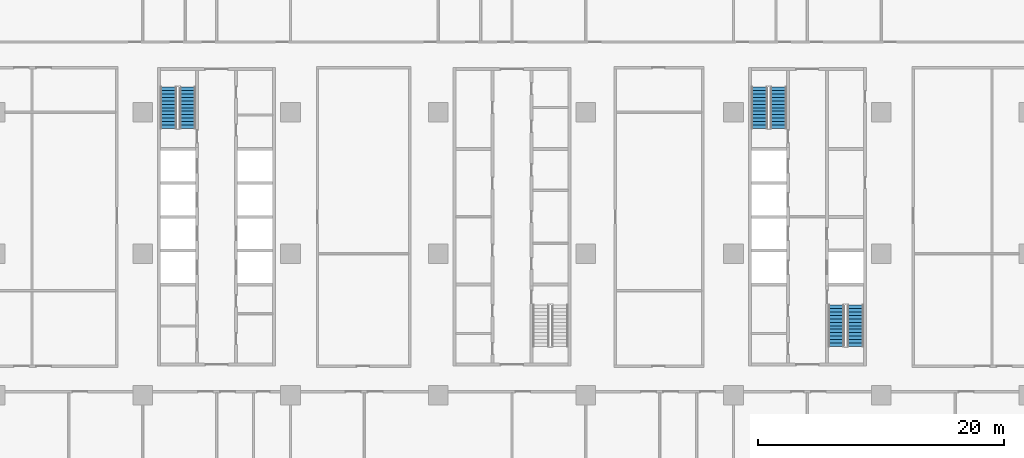
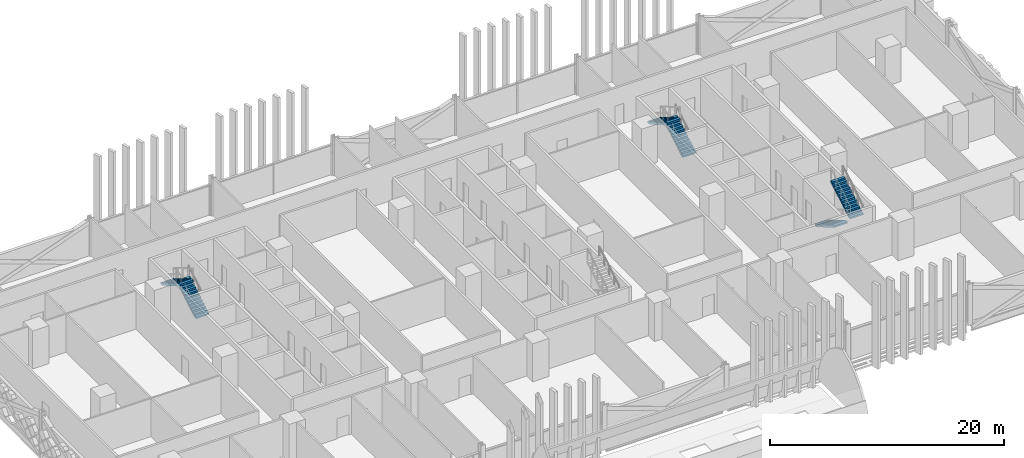
# One storey, part 16 of 31: 6 stair flights, 3 elements without a shape of their own.
"""IFC4 building model written with IfcOpenShell, lengths in metres."""

from ifc_helpers import new_model, si_unit, direction, frame, origin, place, context, subcontext, project, spatial, polyline, outline, extrude, material, type_object, element, aggregate, save


model = new_model("IFC4")

# Units and contexts
model_context = context("Model", 3, precision=1e-05, world=origin(), true_north=direction((0.0, 1.0)))
body_context = subcontext(model_context, "Body", "Model", "MODEL_VIEW")
ifc_project = project(units=[si_unit("LENGTHUNIT", "METRE"), si_unit("AREAUNIT", "SQUARE_METRE"), si_unit("VOLUMEUNIT", "CUBIC_METRE"), si_unit("PLANEANGLEUNIT", "RADIAN"), si_unit("MASSUNIT", "GRAM", prefix="KILO")], contexts=[model_context])

# Site, building, storey
site_placement = place(None, origin())
site = spatial("IfcSite", under=ifc_project, at=site_placement, CompositionType="ELEMENT")
building_placement = place(site_placement, origin())
building = spatial("IfcBuilding", under=site, at=building_placement, Name="Mahtab Terrace Research Tower", CompositionType="ELEMENT")
storey_placement = place(building_placement, frame((0.0, 0.0, 11.5)))
storey = spatial("IfcBuildingStorey", under=building, at=storey_placement, Name="L02", CompositionType="ELEMENT", Elevation=11.5)

# Stair, stair flights
ifc_material_1 = material(Name="Exit stair half-turn")
stair_type = type_object("IfcStairType", Name="Exit stair half-turn", PredefinedType="HALF_TURN_STAIR", material=ifc_material_1)
stair_1_placement = place(storey_placement, origin())
stair_1 = element("IfcStair", 1, at=stair_1_placement, inside=storey, type_object=stair_type, Name="L02 Protected exit stair ST1", PredefinedType="HALF_TURN_STAIR")
ifc_material_2 = material(Name="Concrete C40/50", Category="concrete")
stair_flight_type = type_object("IfcStairFlightType", Name="Exit stair flight 1300", PredefinedType="STRAIGHT", material=ifc_material_2)
stair_flight_1_placement = place(storey_placement, frame((-26.35009765625, 10.175048828125, 0.0), z_axis=(0.0, 0.0, 1.0), x_axis=(0.0, 1.0, 0.0)))
stair_flight_1 = element("IfcStairFlight", 2, at=stair_flight_1_placement, type_object=stair_flight_type, Name="ST1 flight 1", NumberOfRisers=13, NumberOfTreads=12, PredefinedType="STRAIGHT", RiserHeight=0.165384615, TreadLength=0.28, context=body_context, shape_type="SweptSolid", body=[
    extrude(outline(polyline([(0.0, 0.0), (0.0, 0.165283203125), (0.280029296875, 0.165283203125), (0.280029296875, 0.330810546875), (0.56005859375, 0.330810546875), (0.56005859375, 0.49609375), (0.840087890625, 0.49609375), (0.840087890625, 0.66162109375), (1.1201171875, 0.66162109375), (1.1201171875, 0.826904296875), (1.39990234375, 0.826904296875), (1.39990234375, 0.9921875), (1.679931640625, 0.9921875), (1.679931640625, 1.15771484375), (1.9599609375, 1.15771484375), (1.9599609375, 1.322998046875), (2.239990234375, 1.322998046875), (2.239990234375, 1.488525390625), (2.52001953125, 1.488525390625), (2.52001953125, 1.65380859375), (2.800048828125, 1.65380859375), (2.800048828125, 1.8193359375), (3.080078125, 1.8193359375), (3.080078125, 1.984619140625), (3.360107421875, 1.984619140625), (3.360107421875, 2.14990234375), (3.360107421875, 1.810546875), (0.294677734375, 0.0), (0.0, 0.0)])), frame((0.0, 0.64990234375, 0.0), z_axis=(0.0, -1.0, 0.0), x_axis=(1.0, 0.0, 0.0)), (0.0, 0.0, 1.0), 1.300048828125),
])
stair_flight_2_placement = place(storey_placement, frame((-27.89990234375, 13.534912109375, 2.14990234375), z_axis=(0.0, 0.0, 1.0), x_axis=(0.0, -1.0, 0.0)))
stair_flight_2 = element("IfcStairFlight", 3, at=stair_flight_2_placement, type_object=stair_flight_type, Name="ST1 flight 2", NumberOfRisers=13, NumberOfTreads=12, PredefinedType="STRAIGHT", RiserHeight=0.165384615, TreadLength=0.28, context=body_context, shape_type="SweptSolid", body=[
    extrude(outline(polyline([(0.0, 0.0), (0.0, 0.165283203125), (0.280029296875, 0.165283203125), (0.280029296875, 0.330810546875), (0.56005859375, 0.330810546875), (0.56005859375, 0.49609375), (0.840087890625, 0.49609375), (0.840087890625, 0.66162109375), (1.1201171875, 0.66162109375), (1.1201171875, 0.826904296875), (1.39990234375, 0.826904296875), (1.39990234375, 0.9921875), (1.679931640625, 0.9921875), (1.679931640625, 1.15771484375), (1.9599609375, 1.15771484375), (1.9599609375, 1.322998046875), (2.239990234375, 1.322998046875), (2.239990234375, 1.488525390625), (2.52001953125, 1.488525390625), (2.52001953125, 1.65380859375), (2.800048828125, 1.65380859375), (2.800048828125, 1.8193359375), (3.080078125, 1.8193359375), (3.080078125, 1.984619140625), (3.360107421875, 1.984619140625), (3.360107421875, 2.14990234375), (3.360107421875, 1.810546875), (0.294677734375, 0.0), (0.0, 0.0)])), frame((0.0, 0.64990234375, 0.0), z_axis=(0.0, -1.0, 0.0), x_axis=(1.0, 0.0, 0.0)), (0.0, 0.0, 1.0), 1.300048828125),
])
aggregate(stair_1, [stair_flight_1, stair_flight_2])

stair_2_placement = place(storey_placement, origin())
stair_2 = element("IfcStair", 4, at=stair_2_placement, inside=storey, type_object=stair_type, Name="L02 Protected exit stair ST3", PredefinedType="HALF_TURN_STAIR")
stair_flight_3_placement = place(storey_placement, frame((21.64990234375, 10.175048828125, 0.0), z_axis=(0.0, 0.0, 1.0), x_axis=(0.0, 1.0, 0.0)))
stair_flight_3 = element("IfcStairFlight", 5, at=stair_flight_3_placement, type_object=stair_flight_type, Name="ST3 flight 1", NumberOfRisers=13, NumberOfTreads=12, PredefinedType="STRAIGHT", RiserHeight=0.165384615, TreadLength=0.28, context=body_context, shape_type="SweptSolid", body=[
    extrude(outline(polyline([(0.0, 0.0), (0.0, 0.165283203125), (0.280029296875, 0.165283203125), (0.280029296875, 0.330810546875), (0.56005859375, 0.330810546875), (0.56005859375, 0.49609375), (0.840087890625, 0.49609375), (0.840087890625, 0.66162109375), (1.1201171875, 0.66162109375), (1.1201171875, 0.826904296875), (1.39990234375, 0.826904296875), (1.39990234375, 0.9921875), (1.679931640625, 0.9921875), (1.679931640625, 1.15771484375), (1.9599609375, 1.15771484375), (1.9599609375, 1.322998046875), (2.239990234375, 1.322998046875), (2.239990234375, 1.488525390625), (2.52001953125, 1.488525390625), (2.52001953125, 1.65380859375), (2.800048828125, 1.65380859375), (2.800048828125, 1.8193359375), (3.080078125, 1.8193359375), (3.080078125, 1.984619140625), (3.360107421875, 1.984619140625), (3.360107421875, 2.14990234375), (3.360107421875, 1.810546875), (0.294677734375, 0.0), (0.0, 0.0)])), frame((0.0, 0.64990234375, 0.0), z_axis=(0.0, -1.0, 0.0), x_axis=(1.0, 0.0, 0.0)), (0.0, 0.0, 1.0), 1.300048828125),
])
stair_flight_4_placement = place(storey_placement, frame((20.10009765625, 13.534912109375, 2.14990234375), z_axis=(0.0, 0.0, 1.0), x_axis=(0.0, -1.0, 0.0)))
stair_flight_4 = element("IfcStairFlight", 6, at=stair_flight_4_placement, type_object=stair_flight_type, Name="ST3 flight 2", NumberOfRisers=13, NumberOfTreads=12, PredefinedType="STRAIGHT", RiserHeight=0.165384615, TreadLength=0.28, context=body_context, shape_type="SweptSolid", body=[
    extrude(outline(polyline([(0.0, 0.0), (0.0, 0.165283203125), (0.280029296875, 0.165283203125), (0.280029296875, 0.330810546875), (0.56005859375, 0.330810546875), (0.56005859375, 0.49609375), (0.840087890625, 0.49609375), (0.840087890625, 0.66162109375), (1.1201171875, 0.66162109375), (1.1201171875, 0.826904296875), (1.39990234375, 0.826904296875), (1.39990234375, 0.9921875), (1.679931640625, 0.9921875), (1.679931640625, 1.15771484375), (1.9599609375, 1.15771484375), (1.9599609375, 1.322998046875), (2.239990234375, 1.322998046875), (2.239990234375, 1.488525390625), (2.52001953125, 1.488525390625), (2.52001953125, 1.65380859375), (2.800048828125, 1.65380859375), (2.800048828125, 1.8193359375), (3.080078125, 1.8193359375), (3.080078125, 1.984619140625), (3.360107421875, 1.984619140625), (3.360107421875, 2.14990234375), (3.360107421875, 1.810546875), (0.294677734375, 0.0), (0.0, 0.0)])), frame((0.0, 0.64990234375, 0.0), z_axis=(0.0, -1.0, 0.0), x_axis=(1.0, 0.0, 0.0)), (0.0, 0.0, 1.0), 1.300048828125),
])
aggregate(stair_2, [stair_flight_3, stair_flight_4])

stair_3_placement = place(storey_placement, origin())
stair_3 = element("IfcStair", 7, at=stair_3_placement, inside=storey, type_object=stair_type, Name="L02 Protected exit stair ST4", PredefinedType="HALF_TURN_STAIR")
stair_flight_5_placement = place(storey_placement, frame((26.35009765625, -4.175048828125, 0.0), z_axis=(0.0, 0.0, 1.0), x_axis=(0.0, -1.0, 0.0)))
stair_flight_5 = element("IfcStairFlight", 8, at=stair_flight_5_placement, type_object=stair_flight_type, Name="ST4 flight 1", NumberOfRisers=13, NumberOfTreads=12, PredefinedType="STRAIGHT", RiserHeight=0.165384615, TreadLength=0.28, context=body_context, shape_type="SweptSolid", body=[
    extrude(outline(polyline([(0.0, 0.0), (0.0, 0.165283203125), (0.280029296875, 0.165283203125), (0.280029296875, 0.330810546875), (0.56005859375, 0.330810546875), (0.56005859375, 0.49609375), (0.840087890625, 0.49609375), (0.840087890625, 0.66162109375), (1.1201171875, 0.66162109375), (1.1201171875, 0.826904296875), (1.39990234375, 0.826904296875), (1.39990234375, 0.9921875), (1.679931640625, 0.9921875), (1.679931640625, 1.15771484375), (1.9599609375, 1.15771484375), (1.9599609375, 1.322998046875), (2.239990234375, 1.322998046875), (2.239990234375, 1.488525390625), (2.52001953125, 1.488525390625), (2.52001953125, 1.65380859375), (2.800048828125, 1.65380859375), (2.800048828125, 1.8193359375), (3.080078125, 1.8193359375), (3.080078125, 1.984619140625), (3.360107421875, 1.984619140625), (3.360107421875, 2.14990234375), (3.360107421875, 1.810546875), (0.294677734375, 0.0), (0.0, 0.0)])), frame((0.0, 0.64990234375, 0.0), z_axis=(0.0, -1.0, 0.0), x_axis=(1.0, 0.0, 0.0)), (0.0, 0.0, 1.0), 1.300048828125),
])
stair_flight_6_placement = place(storey_placement, frame((27.89990234375, -7.534912109375, 2.14990234375), z_axis=(0.0, 0.0, 1.0), x_axis=(0.0, 1.0, 0.0)))
stair_flight_6 = element("IfcStairFlight", 9, at=stair_flight_6_placement, type_object=stair_flight_type, Name="ST4 flight 2", NumberOfRisers=13, NumberOfTreads=12, PredefinedType="STRAIGHT", RiserHeight=0.165384615, TreadLength=0.28, context=body_context, shape_type="SweptSolid", body=[
    extrude(outline(polyline([(0.0, 0.0), (0.0, 0.165283203125), (0.280029296875, 0.165283203125), (0.280029296875, 0.330810546875), (0.56005859375, 0.330810546875), (0.56005859375, 0.49609375), (0.840087890625, 0.49609375), (0.840087890625, 0.66162109375), (1.1201171875, 0.66162109375), (1.1201171875, 0.826904296875), (1.39990234375, 0.826904296875), (1.39990234375, 0.9921875), (1.679931640625, 0.9921875), (1.679931640625, 1.15771484375), (1.9599609375, 1.15771484375), (1.9599609375, 1.322998046875), (2.239990234375, 1.322998046875), (2.239990234375, 1.488525390625), (2.52001953125, 1.488525390625), (2.52001953125, 1.65380859375), (2.800048828125, 1.65380859375), (2.800048828125, 1.8193359375), (3.080078125, 1.8193359375), (3.080078125, 1.984619140625), (3.360107421875, 1.984619140625), (3.360107421875, 2.14990234375), (3.360107421875, 1.810546875), (0.294677734375, 0.0), (0.0, 0.0)])), frame((0.0, 0.64990234375, 0.0), z_axis=(0.0, -1.0, 0.0), x_axis=(1.0, 0.0, 0.0)), (0.0, 0.0, 1.0), 1.300048828125),
])
aggregate(stair_3, [stair_flight_5, stair_flight_6])

save(model, "model.ifc")
